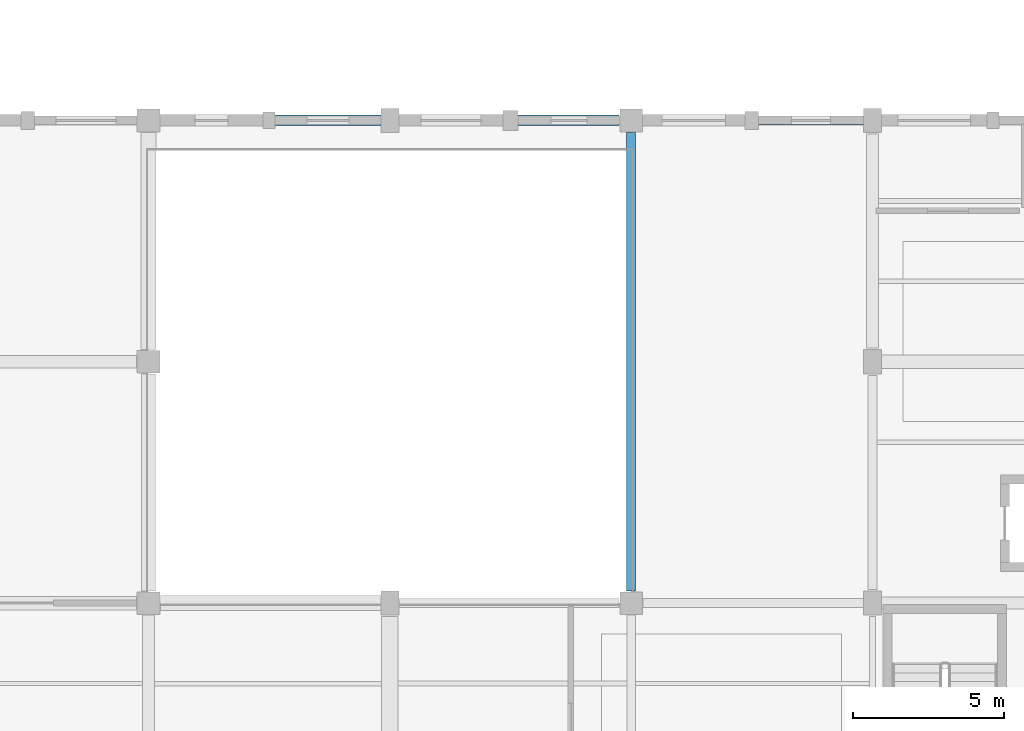
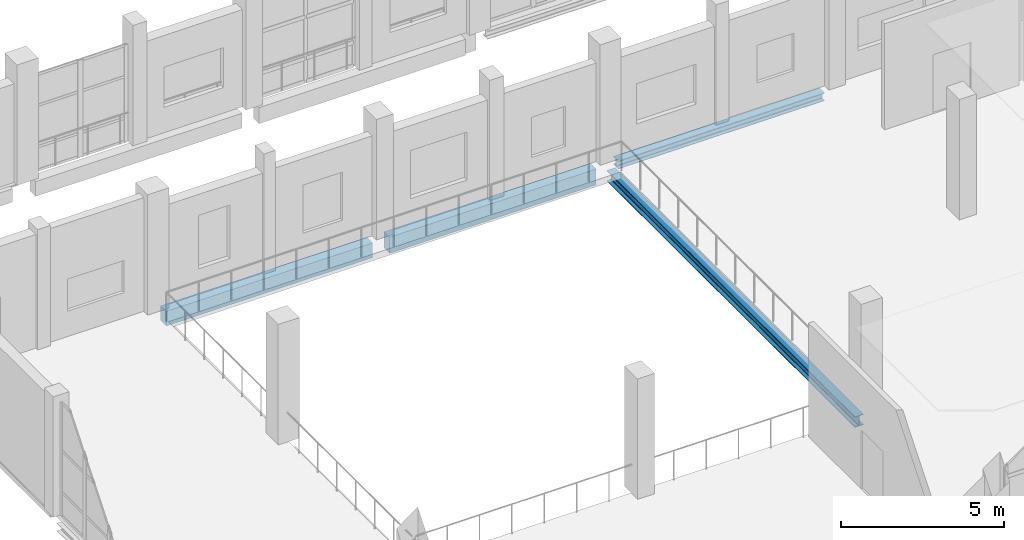
# One storey, part 100 of 183: 4 beams.
"""IFC4 building model written with IfcOpenShell, lengths in metres."""

from ifc_helpers import new_model, si_unit, direction, frame, origin, origin_2d, place, context, subcontext, project, spatial, rectangle, i_section, extrude, material, material_profile, profile_set, type_object, element, save


model = new_model("IFC4")

# Units and contexts
model_context = context("Model", 3, precision=1e-05, world=origin(), true_north=direction((0.0, 1.0)))
body_context = subcontext(model_context, "Body", "Model", "MODEL_VIEW")
ifc_project = project(units=[si_unit("LENGTHUNIT", "METRE"), si_unit("AREAUNIT", "SQUARE_METRE"), si_unit("VOLUMEUNIT", "CUBIC_METRE"), si_unit("PLANEANGLEUNIT", "RADIAN"), si_unit("MASSUNIT", "GRAM", prefix="KILO")], contexts=[model_context])

# Site, building, storey
site_placement = place(None, origin())
site = spatial("IfcSite", under=ifc_project, at=site_placement, CompositionType="ELEMENT")
building_placement = place(site_placement, origin())
building = spatial("IfcBuilding", under=site, at=building_placement, Name="Luwemba Playhouse", CompositionType="ELEMENT")
storey_placement = place(building_placement, frame((0.0, 0.0, 4.800048828125)))
storey = spatial("IfcBuildingStorey", under=building, at=storey_placement, Name="L01", CompositionType="ELEMENT", Elevation=4.800048828125)

# Beams
ifc_material_1 = material(Name="Steel S355", Category="steel")
ifc_material_profile_1 = material_profile(ifc_material_1, i_section(OverallWidth=0.300048828125, OverallDepth=0.39990234375, WebThickness=0.013427734375, FlangeThickness=0.02392578125, FilletRadius=0.027099609375, at=origin_2d()))
ifc_profile_set_1 = profile_set([ifc_material_profile_1], Name="Steel S355")
beam_type_1 = type_object("IfcBeamType", Name="BM-SB10", PredefinedType="BEAM", material=ifc_profile_set_1)
beam_1_placement = place(storey_placement, frame((156.0, 44.39990234375, -0.449951171875), z_axis=(0.0, 1.0, 0.0), x_axis=(-1.0, 0.0, 0.0)))
element("IfcBeam", 1, at=beam_1_placement, inside=storey, type_object=beam_type_1, Name="L01 transverse girder 0429", PredefinedType="BEAM", context=body_context, shape_type="SweptSolid", body=[
    extrude(i_section(OverallWidth=0.300048828125, OverallDepth=0.39990234375, WebThickness=0.013427734375, FlangeThickness=0.02392578125, FilletRadius=0.027099609375, at=origin_2d()), origin(), (0.0, 0.0, 1.0), 15.2001953125),
])
ifc_material_2 = material(Name="Concrete C40/50", Category="concrete")
ifc_material_profile_2 = material_profile(ifc_material_2, rectangle(XDim=0.35009765625, YDim=0.550048828125, at=origin_2d()))
ifc_profile_set_2 = profile_set([ifc_material_profile_2], Name="Concrete C40/50")
beam_type_2 = type_object("IfcBeamType", Name="BM-SP2", PredefinedType="SPANDREL", material=ifc_profile_set_2)
beam_2_placement = place(storey_placement, frame((140.39990234375, 60.0, -0.525146484375), z_axis=(1.0, 0.0, 0.0), x_axis=(0.0, 1.0, 0.0)))
element("IfcBeam", 2, at=beam_2_placement, inside=storey, type_object=beam_type_2, Name="L01 grid girder 0417", PredefinedType="SPANDREL", context=body_context, shape_type="SweptSolid", body=[
    extrude(rectangle(XDim=0.35009765625, YDim=0.550048828125, at=origin_2d()), origin(), (0.0, 0.0, 1.0), 7.300048828125),
])
ifc_material_profile_3 = material_profile(ifc_material_2, rectangle(XDim=0.35009765625, YDim=0.60009765625, at=origin_2d()))
ifc_profile_set_3 = profile_set([ifc_material_profile_3], Name="Concrete C40/50")
beam_type_3 = type_object("IfcBeamType", Name="BM-SP3", PredefinedType="SPANDREL", material=ifc_profile_set_3)
beam_3_placement = place(storey_placement, frame((148.300048828125, 60.0, -0.550048828125), z_axis=(1.0, 0.0, 0.0), x_axis=(0.0, 1.0, 0.0)))
element("IfcBeam", 3, at=beam_3_placement, inside=storey, type_object=beam_type_3, Name="L01 grid girder 0418", PredefinedType="SPANDREL", context=body_context, shape_type="SweptSolid", body=[
    extrude(rectangle(XDim=0.35009765625, YDim=0.60009765625, at=origin_2d()), origin(), (0.0, 0.0, 1.0), 7.300048828125),
])
ifc_material_profile_4 = material_profile(ifc_material_1, i_section(OverallWidth=0.300048828125, OverallDepth=0.300048828125, WebThickness=0.010986328125, FlangeThickness=0.01904296875, FilletRadius=0.027099609375, at=origin_2d()))
ifc_profile_set_4 = profile_set([ifc_material_profile_4], Name="Steel S355")
beam_type_4 = type_object("IfcBeamType", Name="BM-SSP1", PredefinedType="SPANDREL", material=ifc_profile_set_4)
beam_4_placement = place(storey_placement, frame((156.39990234375, 60.0, -0.400146484375), z_axis=(1.0, 0.0, 0.0), x_axis=(0.0, 1.0, 0.0)))
element("IfcBeam", 4, at=beam_4_placement, inside=storey, type_object=beam_type_4, Name="L01 grid girder 0419", PredefinedType="SPANDREL", context=body_context, shape_type="SweptSolid", body=[
    extrude(i_section(OverallWidth=0.300048828125, OverallDepth=0.300048828125, WebThickness=0.010986328125, FlangeThickness=0.01904296875, FilletRadius=0.027099609375, at=origin_2d()), origin(), (0.0, 0.0, 1.0), 7.300048828125),
])

save(model, "model.ifc")
